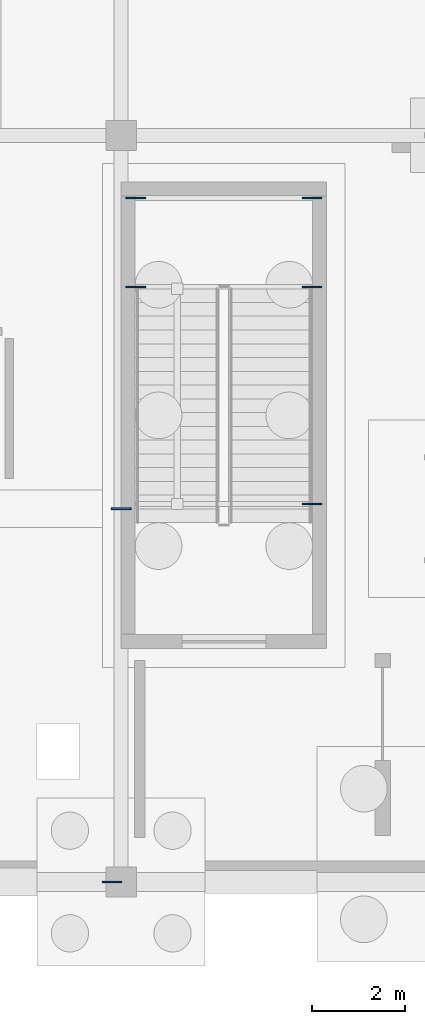
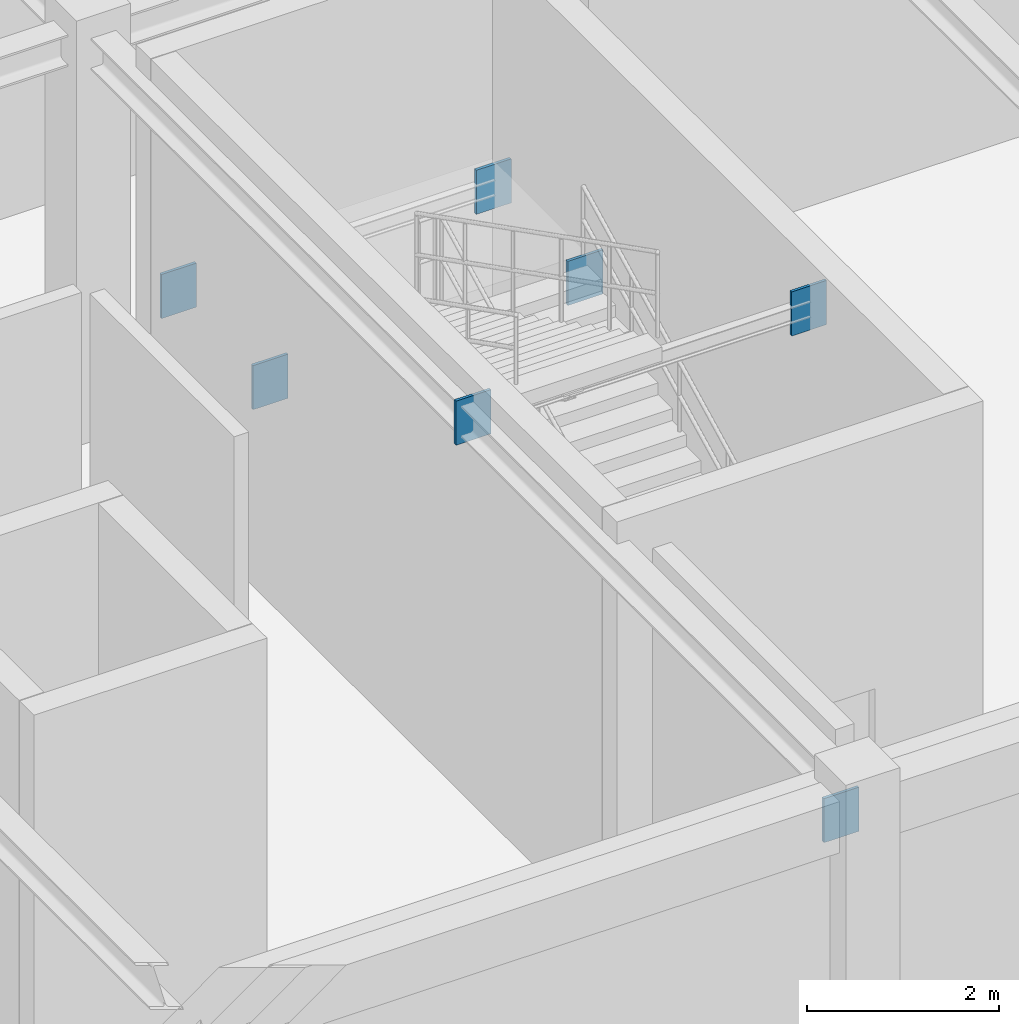
# One storey, part 34 of 71: 7 plates.
"""IFC4 building model written with IfcOpenShell, lengths in metres."""

from ifc_helpers import new_model, si_unit, direction, frame, origin, origin_2d, place, context, subcontext, project, spatial, rectangle, extrude, material, layer, layer_set, type_object, element, save


model = new_model("IFC4")

# Units and contexts
model_context = context("Model", 3, precision=1e-05, world=origin(), true_north=direction((0.0, 1.0)))
body_context = subcontext(model_context, "Body", "Model", "MODEL_VIEW")
ifc_project = project(units=[si_unit("LENGTHUNIT", "METRE"), si_unit("AREAUNIT", "SQUARE_METRE"), si_unit("VOLUMEUNIT", "CUBIC_METRE"), si_unit("PLANEANGLEUNIT", "RADIAN"), si_unit("MASSUNIT", "GRAM", prefix="KILO")], contexts=[model_context])

# Site, building, storey
site_placement = place(None, origin())
site = spatial("IfcSite", under=ifc_project, at=site_placement, CompositionType="ELEMENT")
building_placement = place(site_placement, origin())
building = spatial("IfcBuilding", under=site, at=building_placement, Name="Sundkrona Museum", CompositionType="ELEMENT")
storey_placement = place(building_placement, frame((0.0, 0.0, -5.39990234375)))
storey = spatial("IfcBuildingStorey", under=building, at=storey_placement, Name="B1", CompositionType="ELEMENT", Elevation=-5.39990234375)

# Plates
ifc_material = material(Name="Steel S355J2", Category="steel")
ifc_layer = layer(ifc_material, 0.034912109375)
ifc_layer_set = layer_set([ifc_layer], Name="Steel S355J2")
plate_type = type_object("IfcPlateType", Name="EP-1", PredefinedType="USERDEFINED", material=ifc_layer_set)
for number, where, z_axis, x_axis, name in (
    (1, (120.0, 8.0, 4.639892578125), (0.0, 0.0, 1.0), (1.0, 0.0, 0.0), "Core Wall Cast-In Embed Plate BM-B1-Y-0331-2"),
    (2, (120.31005859375, 12.754638671875, 2.099853515625), (0.0, 0.0, 1.0), (1.0, 0.0, 0.0), "Core Wall Cast-In Embed Plate BM-STLD-ST-2-B1-1A-1"),
    (3, (124.090087890625, 12.754638671875, 2.099853515625), (0.0, 0.0, 1.0), (1.0, 0.0, 0.0), "Core Wall Cast-In Embed Plate BM-STLD-ST-2-B1-1A-2"),
    (4, (120.31005859375, 14.660400390625, 2.099853515625), (0.0, 0.0, 1.0), (1.0, 0.0, 0.0), "Core Wall Cast-In Embed Plate BM-STLD-ST-2-B1-1B-1"),
    (5, (124.090087890625, 14.660400390625, 2.099853515625), (0.0, 0.0, 1.0), (1.0, 0.0, 0.0), "Core Wall Cast-In Embed Plate BM-STLD-ST-2-B1-1B-2"),
    (6, (124.090087890625, 8.10009765625, 4.5341796875), (0.0, 0.0, 1.0), (1.0, 0.0, 0.0), "Core Wall Cast-In Embed Plate BM-STHD-ST-2-B1-2-2"),
    (7, (119.800048828125, 0.0, 4.514892578125), (0.0, 0.0, 1.0), (1.0, 0.0, 0.0), "Structural Wall Cast-In Embed Plate BM-B1-X-0005-2"),
):
    element("IfcPlate", number, at=place(storey_placement, frame(where, z_axis=z_axis, x_axis=x_axis)), inside=storey, type_object=plate_type, Name=name, ObjectType="GUSSET PLATE", PredefinedType="USERDEFINED", context=body_context, shape_type="SweptSolid", body=[
        extrude(rectangle(XDim=0.419921875, YDim=0.034912109375, at=origin_2d()), origin(), (0.0, 0.0, 1.0), 0.56005859375),
    ])

save(model, "model.ifc")
